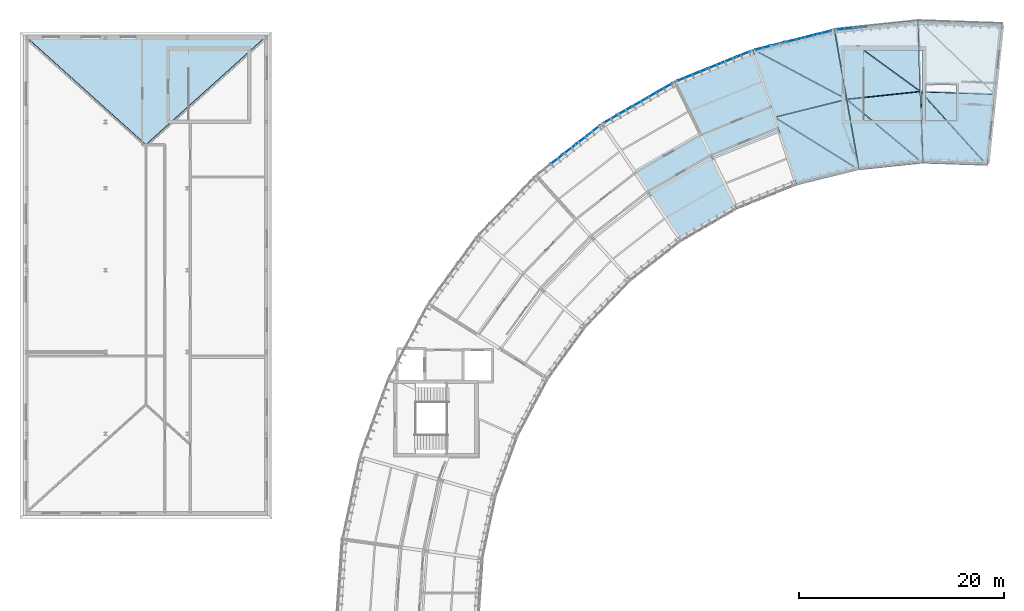
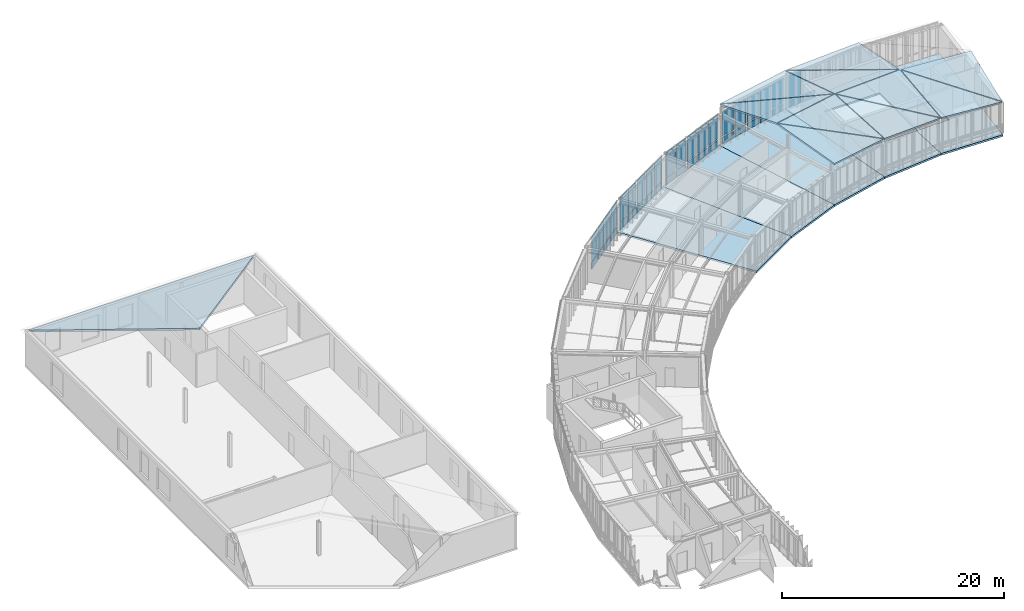
# One storey, part 20 of 42: 41 plates, 16 slabs, 5 elements without a shape of their own.
"""IFC4 building model written with IfcOpenShell, lengths in metres."""

from ifc_helpers import new_model, si_unit, direction, frame, origin, origin_2d, place, context, subcontext, project, spatial, polyline, rectangle, outline, extrude, material, layer, layer_set, type_object, element, aggregate, save


model = new_model("IFC4")

# Units and contexts
model_context = context("Model", 3, precision=1e-05, world=origin(), true_north=direction((0.0, 1.0)))
body_context = subcontext(model_context, "Body", "Model", "MODEL_VIEW")
ifc_project = project(units=[si_unit("LENGTHUNIT", "METRE"), si_unit("AREAUNIT", "SQUARE_METRE"), si_unit("VOLUMEUNIT", "CUBIC_METRE"), si_unit("PLANEANGLEUNIT", "RADIAN"), si_unit("MASSUNIT", "GRAM", prefix="KILO"), si_unit("THERMODYNAMICTEMPERATUREUNIT", "KELVIN"), si_unit("POWERUNIT", "WATT")], contexts=[model_context])

# Site, building, storey
site_placement = place(None, origin())
site = spatial("IfcSite", under=ifc_project, at=site_placement, CompositionType="ELEMENT")
building_placement = place(site_placement, origin())
building = spatial("IfcBuilding", under=site, at=building_placement, Name="Solvatero Civic Police Headquarters", CompositionType="ELEMENT")
storey_placement = place(building_placement, frame((0.0, 0.0, 21.60009765625)))
storey = spatial("IfcBuildingStorey", under=building, at=storey_placement, Name="L05", CompositionType="ELEMENT", Elevation=21.60009765625)

# Curtain wall, plate
ifc_material_1 = material(Name="Anodized Bronze Aluminium", Category="aluminium")
ifc_layer_1 = layer(ifc_material_1, 0.179931640625)
ifc_layer_set_1 = layer_set([ifc_layer_1], Name="Anodized Bronze Aluminium")
curtain_wall_type = type_object("IfcCurtainWallType", Name="CW-ARC-OUT", PredefinedType="USERDEFINED", material=ifc_layer_set_1)
curtain_wall_1_placement = place(storey_placement, origin())
curtain_wall_1 = element("IfcCurtainWall", 1, at=curtain_wall_1_placement, inside=storey, type_object=curtain_wall_type, Name="Curtain Wall CW-R2-L05-ARC-OUT-B02", ObjectType="UNITISED", PredefinedType="USERDEFINED")
ifc_material_2 = material(Name="Triple Low-E Laminated Glass", Category="glass")
ifc_layer_2 = layer(ifc_material_2, 0.0380859375)
ifc_layer_set_2 = layer_set([ifc_layer_2], Name="Triple Low-E Laminated Glass")
plate_type_1 = type_object("IfcPlateType", Name="CWP-GLZ-38", PredefinedType="CURTAIN_PANEL", material=ifc_layer_set_2)
plate_1_placement = place(storey_placement, frame((84.764404296875, 84.08935546875, 0.909912109375), z_axis=(0.0, 0.0, 1.0), x_axis=(-0.994523719583, -0.10451110557, 0.0)))
plate_1 = element("IfcPlate", 2, at=plate_1_placement, type_object=plate_type_1, Name="CW-R2-L05-ARC-OUT-B02 Vision Glazing 5", PredefinedType="CURTAIN_PANEL", context=body_context, shape_type="SweptSolid", body=[
    extrude(rectangle(XDim=1.37646484375, YDim=0.0380859375, at=origin_2d()), origin(), (0.0, 0.0, 1.0), 2.669921875),
])

# Curtain wall, plates
curtain_wall_2_placement = place(storey_placement, origin())
curtain_wall_2 = element("IfcCurtainWall", 3, at=curtain_wall_2_placement, inside=storey, type_object=curtain_wall_type, Name="Curtain Wall CW-R2-L05-ARC-OUT-B03", ObjectType="UNITISED", PredefinedType="USERDEFINED")
plate_2_placement = place(storey_placement, frame((82.809814453125, 83.74462890625, 0.909912109375), z_axis=(0.0, 0.0, 1.0), x_axis=(-0.970295726276, -0.2419218956, 0.0)))
plate_2 = element("IfcPlate", 4, at=plate_2_placement, type_object=plate_type_1, Name="CW-R2-L05-ARC-OUT-B03 Vision Glazing 1", PredefinedType="CURTAIN_PANEL", context=body_context, shape_type="SweptSolid", body=[
    extrude(rectangle(XDim=1.37841796875, YDim=0.0380859375, at=origin_2d()), origin(), (0.0, 0.0, 1.0), 2.669921875),
])
plate_3_placement = place(storey_placement, frame((79.785400390625, 82.990478515625, 0.909912109375), z_axis=(0.0, 0.0, 1.0), x_axis=(-0.970295726276, -0.2419218956, 0.0)))
plate_3 = element("IfcPlate", 5, at=plate_3_placement, type_object=plate_type_1, Name="CW-R2-L05-ARC-OUT-B03 Vision Glazing 3", PredefinedType="CURTAIN_PANEL", context=body_context, shape_type="SweptSolid", body=[
    extrude(rectangle(XDim=1.37841796875, YDim=0.0380859375, at=origin_2d()), origin(), (0.0, 0.0, 1.0), 2.669921875),
])
plate_4_placement = place(storey_placement, frame((76.76123046875, 82.236572265625, 0.909912109375), z_axis=(0.0, 0.0, 1.0), x_axis=(-0.970295726276, -0.2419218956, 0.0)))
plate_4 = element("IfcPlate", 6, at=plate_4_placement, type_object=plate_type_1, Name="CW-R2-L05-ARC-OUT-B03 Vision Glazing 5", PredefinedType="CURTAIN_PANEL", context=body_context, shape_type="SweptSolid", body=[
    extrude(rectangle(XDim=1.37841796875, YDim=0.0380859375, at=origin_2d()), origin(), (0.0, 0.0, 1.0), 2.669921875),
])

curtain_wall_3_placement = place(storey_placement, origin())
curtain_wall_3 = element("IfcCurtainWall", 7, at=curtain_wall_3_placement, inside=storey, type_object=curtain_wall_type, Name="Curtain Wall CW-R2-L05-ARC-OUT-B04", ObjectType="UNITISED", PredefinedType="USERDEFINED")
plate_5_placement = place(storey_placement, frame((74.8916015625, 81.629150390625, 0.909912109375), z_axis=(0.0, 0.0, 1.0), x_axis=(-0.927183854567, -0.374606593416, 0.0)))
plate_5 = element("IfcPlate", 8, at=plate_5_placement, type_object=plate_type_1, Name="CW-R2-L05-ARC-OUT-B04 Vision Glazing 1", PredefinedType="CURTAIN_PANEL", context=body_context, shape_type="SweptSolid", body=[
    extrude(rectangle(XDim=1.37841796875, YDim=0.0380859375, at=origin_2d()), origin(), (0.0, 0.0, 1.0), 2.669921875),
])
plate_6_placement = place(storey_placement, frame((72.001708984375, 80.46142578125, 0.909912109375), z_axis=(0.0, 0.0, 1.0), x_axis=(-0.927183854567, -0.374606593416, 0.0)))
plate_6 = element("IfcPlate", 9, at=plate_6_placement, type_object=plate_type_1, Name="CW-R2-L05-ARC-OUT-B04 Vision Glazing 3", PredefinedType="CURTAIN_PANEL", context=body_context, shape_type="SweptSolid", body=[
    extrude(rectangle(XDim=1.37841796875, YDim=0.0380859375, at=origin_2d()), origin(), (0.0, 0.0, 1.0), 2.669921875),
])
plate_7_placement = place(storey_placement, frame((69.111572265625, 79.293701171875, 0.909912109375), z_axis=(0.0, 0.0, 1.0), x_axis=(-0.927183854567, -0.374606593416, 0.0)))
plate_7 = element("IfcPlate", 10, at=plate_7_placement, type_object=plate_type_1, Name="CW-R2-L05-ARC-OUT-B04 Vision Glazing 5", PredefinedType="CURTAIN_PANEL", context=body_context, shape_type="SweptSolid", body=[
    extrude(rectangle(XDim=1.37841796875, YDim=0.0380859375, at=origin_2d()), origin(), (0.0, 0.0, 1.0), 2.669921875),
])

curtain_wall_4_placement = place(storey_placement, origin())
curtain_wall_4 = element("IfcCurtainWall", 11, at=curtain_wall_4_placement, inside=storey, type_object=curtain_wall_type, Name="Curtain Wall CW-R2-L05-ARC-OUT-B05", ObjectType="UNITISED", PredefinedType="USERDEFINED")
plate_8_placement = place(storey_placement, frame((67.326904296875, 78.42333984375, 0.909912109375), z_axis=(0.0, 0.0, 1.0), x_axis=(-0.866034130299, -0.499984884929, 0.0)))
plate_8 = element("IfcPlate", 12, at=plate_8_placement, type_object=plate_type_1, Name="CW-R2-L05-ARC-OUT-B05 Vision Glazing 1", PredefinedType="CURTAIN_PANEL", context=body_context, shape_type="SweptSolid", body=[
    extrude(rectangle(XDim=1.37841796875, YDim=0.0380859375, at=origin_2d()), origin(), (0.0, 0.0, 1.0), 2.669921875),
])
plate_9_placement = place(storey_placement, frame((64.62744140625, 76.86474609375, 0.909912109375), z_axis=(0.0, 0.0, 1.0), x_axis=(-0.866034130299, -0.499984884929, 0.0)))
plate_9 = element("IfcPlate", 13, at=plate_9_placement, type_object=plate_type_1, Name="CW-R2-L05-ARC-OUT-B05 Vision Glazing 3", PredefinedType="CURTAIN_PANEL", context=body_context, shape_type="SweptSolid", body=[
    extrude(rectangle(XDim=1.37841796875, YDim=0.0380859375, at=origin_2d()), origin(), (0.0, 0.0, 1.0), 2.669921875),
])
plate_10_placement = place(storey_placement, frame((61.927978515625, 75.306396484375, 0.909912109375), z_axis=(0.0, 0.0, 1.0), x_axis=(-0.866034130299, -0.499984884929, 0.0)))
plate_10 = element("IfcPlate", 14, at=plate_10_placement, type_object=plate_type_1, Name="CW-R2-L05-ARC-OUT-B05 Vision Glazing 5", PredefinedType="CURTAIN_PANEL", context=body_context, shape_type="SweptSolid", body=[
    extrude(rectangle(XDim=1.37841796875, YDim=0.0380859375, at=origin_2d()), origin(), (0.0, 0.0, 1.0), 2.669921875),
])

curtain_wall_5_placement = place(storey_placement, origin())
curtain_wall_5 = element("IfcCurtainWall", 15, at=curtain_wall_5_placement, inside=storey, type_object=curtain_wall_type, Name="Curtain Wall CW-R2-L05-ARC-OUT-B06", ObjectType="UNITISED", PredefinedType="USERDEFINED")
plate_11_placement = place(storey_placement, frame((60.29833984375, 74.20703125, 0.909912109375), z_axis=(0.0, 0.0, 1.0), x_axis=(-0.788010753607, -0.615661475326, 0.0)))
plate_11 = element("IfcPlate", 16, at=plate_11_placement, type_object=plate_type_1, Name="CW-R2-L05-ARC-OUT-B06 Vision Glazing 1", PredefinedType="CURTAIN_PANEL", context=body_context, shape_type="SweptSolid", body=[
    extrude(rectangle(XDim=1.37841796875, YDim=0.0380859375, at=origin_2d()), origin(), (0.0, 0.0, 1.0), 2.669921875),
])
plate_12_placement = place(storey_placement, frame((57.842041015625, 72.2880859375, 0.909912109375), z_axis=(0.0, 0.0, 1.0), x_axis=(-0.788010753607, -0.615661475326, 0.0)))
plate_12 = element("IfcPlate", 17, at=plate_12_placement, type_object=plate_type_1, Name="CW-R2-L05-ARC-OUT-B06 Vision Glazing 3", PredefinedType="CURTAIN_PANEL", context=body_context, shape_type="SweptSolid", body=[
    extrude(rectangle(XDim=1.37841796875, YDim=0.0380859375, at=origin_2d()), origin(), (0.0, 0.0, 1.0), 2.669921875),
])

# Plate
ifc_material_3 = material(Name="Acoustic Ballistic Laminated Glass", Category="glass")
ifc_layer_3 = layer(ifc_material_3, 0.0439453125)
ifc_layer_set_3 = layer_set([ifc_layer_3], Name="Acoustic Ballistic Laminated Glass")
plate_type_2 = type_object("IfcPlateType", Name="CWP-GLZ-44", PredefinedType="CURTAIN_PANEL", material=ifc_layer_set_3)
plate_13_placement = place(storey_placement, frame((81.297607421875, 83.36767578125, 0.909912109375), z_axis=(0.0, 0.0, 1.0), x_axis=(-0.970295726276, -0.2419218956, 0.0)))
plate_13 = element("IfcPlate", 18, at=plate_13_placement, type_object=plate_type_2, Name="CW-R2-L05-ARC-OUT-B03 Vision Glazing 2", PredefinedType="CURTAIN_PANEL", context=body_context, shape_type="SweptSolid", body=[
    extrude(rectangle(XDim=1.37841796875, YDim=0.0439453125, at=origin_2d()), origin(), (0.0, 0.0, 1.0), 2.669921875),
])

plate_14_placement = place(storey_placement, frame((78.273193359375, 82.613525390625, 0.909912109375), z_axis=(0.0, 0.0, 1.0), x_axis=(-0.970295726276, -0.2419218956, 0.0)))
plate_14 = element("IfcPlate", 19, at=plate_14_placement, type_object=plate_type_2, Name="CW-R2-L05-ARC-OUT-B03 Vision Glazing 4", PredefinedType="CURTAIN_PANEL", context=body_context, shape_type="SweptSolid", body=[
    extrude(rectangle(XDim=1.37841796875, YDim=0.0439453125, at=origin_2d()), origin(), (0.0, 0.0, 1.0), 2.669921875),
])

plate_15_placement = place(storey_placement, frame((73.446533203125, 81.04541015625, 0.909912109375), z_axis=(0.0, 0.0, 1.0), x_axis=(-0.927183854567, -0.374606593416, 0.0)))
plate_15 = element("IfcPlate", 20, at=plate_15_placement, type_object=plate_type_2, Name="CW-R2-L05-ARC-OUT-B04 Vision Glazing 2", PredefinedType="CURTAIN_PANEL", context=body_context, shape_type="SweptSolid", body=[
    extrude(rectangle(XDim=1.37841796875, YDim=0.0439453125, at=origin_2d()), origin(), (0.0, 0.0, 1.0), 2.669921875),
])

plate_16_placement = place(storey_placement, frame((70.556396484375, 79.877685546875, 0.909912109375), z_axis=(0.0, 0.0, 1.0), x_axis=(-0.927183854567, -0.374606593416, 0.0)))
plate_16 = element("IfcPlate", 21, at=plate_16_placement, type_object=plate_type_2, Name="CW-R2-L05-ARC-OUT-B04 Vision Glazing 4", PredefinedType="CURTAIN_PANEL", context=body_context, shape_type="SweptSolid", body=[
    extrude(rectangle(XDim=1.37841796875, YDim=0.0439453125, at=origin_2d()), origin(), (0.0, 0.0, 1.0), 2.669921875),
])

plate_17_placement = place(storey_placement, frame((65.97705078125, 77.64404296875, 0.909912109375), z_axis=(0.0, 0.0, 1.0), x_axis=(-0.866034130299, -0.499984884929, 0.0)))
plate_17 = element("IfcPlate", 22, at=plate_17_placement, type_object=plate_type_2, Name="CW-R2-L05-ARC-OUT-B05 Vision Glazing 2", PredefinedType="CURTAIN_PANEL", context=body_context, shape_type="SweptSolid", body=[
    extrude(rectangle(XDim=1.37841796875, YDim=0.0439453125, at=origin_2d()), origin(), (0.0, 0.0, 1.0), 2.669921875),
])

plate_18_placement = place(storey_placement, frame((63.27783203125, 76.085693359375, 0.909912109375), z_axis=(0.0, 0.0, 1.0), x_axis=(-0.866034130299, -0.499984884929, 0.0)))
plate_18 = element("IfcPlate", 23, at=plate_18_placement, type_object=plate_type_2, Name="CW-R2-L05-ARC-OUT-B05 Vision Glazing 4", PredefinedType="CURTAIN_PANEL", context=body_context, shape_type="SweptSolid", body=[
    extrude(rectangle(XDim=1.37841796875, YDim=0.0439453125, at=origin_2d()), origin(), (0.0, 0.0, 1.0), 2.669921875),
])

plate_19_placement = place(storey_placement, frame((59.0703125, 73.24755859375, 0.909912109375), z_axis=(0.0, 0.0, 1.0), x_axis=(-0.788010753607, -0.615661475326, 0.0)))
plate_19 = element("IfcPlate", 24, at=plate_19_placement, type_object=plate_type_2, Name="CW-R2-L05-ARC-OUT-B06 Vision Glazing 2", PredefinedType="CURTAIN_PANEL", context=body_context, shape_type="SweptSolid", body=[
    extrude(rectangle(XDim=1.37841796875, YDim=0.0439453125, at=origin_2d()), origin(), (0.0, 0.0, 1.0), 2.669921875),
])

plate_20_placement = place(storey_placement, frame((56.614013671875, 71.32861328125, 0.909912109375), z_axis=(0.0, 0.0, 1.0), x_axis=(-0.788010753607, -0.615661475326, 0.0)))
plate_20 = element("IfcPlate", 25, at=plate_20_placement, type_object=plate_type_2, Name="CW-R2-L05-ARC-OUT-B06 Vision Glazing 4", PredefinedType="CURTAIN_PANEL", context=body_context, shape_type="SweptSolid", body=[
    extrude(rectangle(XDim=1.37841796875, YDim=0.0439453125, at=origin_2d()), origin(), (0.0, 0.0, 1.0), 2.669921875),
])

ifc_material_4 = material(Name="Insulated Bronze Aluminium Spandrel", Category="aluminium")
ifc_layer_4 = layer(ifc_material_4, 0.06005859375)
ifc_layer_set_4 = layer_set([ifc_layer_4], Name="Insulated Bronze Aluminium Spandrel")
plate_type_3 = type_object("IfcPlateType", Name="CWP-SPN-60", PredefinedType="CURTAIN_PANEL", material=ifc_layer_set_4)
plate_21_placement = place(storey_placement, frame((84.764404296875, 84.08935546875, 0.059814453125), z_axis=(0.0, 0.0, 1.0), x_axis=(-0.994523719583, -0.10451110557, 0.0)))
plate_21 = element("IfcPlate", 26, at=plate_21_placement, type_object=plate_type_3, Name="CW-R2-L05-ARC-OUT-B02 Spandrel Panel 5", PredefinedType="CURTAIN_PANEL", context=body_context, shape_type="SweptSolid", body=[
    extrude(rectangle(XDim=1.37646484375, YDim=0.06005859375, at=origin_2d()), origin(), (0.0, 0.0, 1.0), 0.72998046875),
])

plate_22_placement = place(storey_placement, frame((82.809814453125, 83.74462890625, 0.059814453125), z_axis=(0.0, 0.0, 1.0), x_axis=(-0.970295726276, -0.2419218956, 0.0)))
plate_22 = element("IfcPlate", 27, at=plate_22_placement, type_object=plate_type_3, Name="CW-R2-L05-ARC-OUT-B03 Spandrel Panel 1", PredefinedType="CURTAIN_PANEL", context=body_context, shape_type="SweptSolid", body=[
    extrude(rectangle(XDim=1.37841796875, YDim=0.06005859375, at=origin_2d()), origin(), (0.0, 0.0, 1.0), 0.72998046875),
])

plate_23_placement = place(storey_placement, frame((79.785400390625, 82.990478515625, 0.059814453125), z_axis=(0.0, 0.0, 1.0), x_axis=(-0.970295726276, -0.2419218956, 0.0)))
plate_23 = element("IfcPlate", 28, at=plate_23_placement, type_object=plate_type_3, Name="CW-R2-L05-ARC-OUT-B03 Spandrel Panel 3", PredefinedType="CURTAIN_PANEL", context=body_context, shape_type="SweptSolid", body=[
    extrude(rectangle(XDim=1.37841796875, YDim=0.06005859375, at=origin_2d()), origin(), (0.0, 0.0, 1.0), 0.72998046875),
])

plate_24_placement = place(storey_placement, frame((76.76123046875, 82.236572265625, 0.059814453125), z_axis=(0.0, 0.0, 1.0), x_axis=(-0.970295726276, -0.2419218956, 0.0)))
plate_24 = element("IfcPlate", 29, at=plate_24_placement, type_object=plate_type_3, Name="CW-R2-L05-ARC-OUT-B03 Spandrel Panel 5", PredefinedType="CURTAIN_PANEL", context=body_context, shape_type="SweptSolid", body=[
    extrude(rectangle(XDim=1.37841796875, YDim=0.06005859375, at=origin_2d()), origin(), (0.0, 0.0, 1.0), 0.72998046875),
])

plate_25_placement = place(storey_placement, frame((74.8916015625, 81.629150390625, 0.059814453125), z_axis=(0.0, 0.0, 1.0), x_axis=(-0.927183854567, -0.374606593416, 0.0)))
plate_25 = element("IfcPlate", 30, at=plate_25_placement, type_object=plate_type_3, Name="CW-R2-L05-ARC-OUT-B04 Spandrel Panel 1", PredefinedType="CURTAIN_PANEL", context=body_context, shape_type="SweptSolid", body=[
    extrude(rectangle(XDim=1.37841796875, YDim=0.06005859375, at=origin_2d()), origin(), (0.0, 0.0, 1.0), 0.72998046875),
])

plate_26_placement = place(storey_placement, frame((72.001708984375, 80.46142578125, 0.059814453125), z_axis=(0.0, 0.0, 1.0), x_axis=(-0.927183854567, -0.374606593416, 0.0)))
plate_26 = element("IfcPlate", 31, at=plate_26_placement, type_object=plate_type_3, Name="CW-R2-L05-ARC-OUT-B04 Spandrel Panel 3", PredefinedType="CURTAIN_PANEL", context=body_context, shape_type="SweptSolid", body=[
    extrude(rectangle(XDim=1.37841796875, YDim=0.06005859375, at=origin_2d()), origin(), (0.0, 0.0, 1.0), 0.72998046875),
])

plate_27_placement = place(storey_placement, frame((69.111572265625, 79.293701171875, 0.059814453125), z_axis=(0.0, 0.0, 1.0), x_axis=(-0.927183854567, -0.374606593416, 0.0)))
plate_27 = element("IfcPlate", 32, at=plate_27_placement, type_object=plate_type_3, Name="CW-R2-L05-ARC-OUT-B04 Spandrel Panel 5", PredefinedType="CURTAIN_PANEL", context=body_context, shape_type="SweptSolid", body=[
    extrude(rectangle(XDim=1.37841796875, YDim=0.06005859375, at=origin_2d()), origin(), (0.0, 0.0, 1.0), 0.72998046875),
])

plate_28_placement = place(storey_placement, frame((67.326904296875, 78.42333984375, 0.059814453125), z_axis=(0.0, 0.0, 1.0), x_axis=(-0.866034130299, -0.499984884929, 0.0)))
plate_28 = element("IfcPlate", 33, at=plate_28_placement, type_object=plate_type_3, Name="CW-R2-L05-ARC-OUT-B05 Spandrel Panel 1", PredefinedType="CURTAIN_PANEL", context=body_context, shape_type="SweptSolid", body=[
    extrude(rectangle(XDim=1.37841796875, YDim=0.06005859375, at=origin_2d()), origin(), (0.0, 0.0, 1.0), 0.72998046875),
])

plate_29_placement = place(storey_placement, frame((64.62744140625, 76.86474609375, 0.059814453125), z_axis=(0.0, 0.0, 1.0), x_axis=(-0.866034130299, -0.499984884929, 0.0)))
plate_29 = element("IfcPlate", 34, at=plate_29_placement, type_object=plate_type_3, Name="CW-R2-L05-ARC-OUT-B05 Spandrel Panel 3", PredefinedType="CURTAIN_PANEL", context=body_context, shape_type="SweptSolid", body=[
    extrude(rectangle(XDim=1.37841796875, YDim=0.06005859375, at=origin_2d()), origin(), (0.0, 0.0, 1.0), 0.72998046875),
])

plate_30_placement = place(storey_placement, frame((61.927978515625, 75.306396484375, 0.059814453125), z_axis=(0.0, 0.0, 1.0), x_axis=(-0.866034130299, -0.499984884929, 0.0)))
plate_30 = element("IfcPlate", 35, at=plate_30_placement, type_object=plate_type_3, Name="CW-R2-L05-ARC-OUT-B05 Spandrel Panel 5", PredefinedType="CURTAIN_PANEL", context=body_context, shape_type="SweptSolid", body=[
    extrude(rectangle(XDim=1.37841796875, YDim=0.06005859375, at=origin_2d()), origin(), (0.0, 0.0, 1.0), 0.72998046875),
])

plate_31_placement = place(storey_placement, frame((60.29833984375, 74.20703125, 0.059814453125), z_axis=(0.0, 0.0, 1.0), x_axis=(-0.788010753607, -0.615661475326, 0.0)))
plate_31 = element("IfcPlate", 36, at=plate_31_placement, type_object=plate_type_3, Name="CW-R2-L05-ARC-OUT-B06 Spandrel Panel 1", PredefinedType="CURTAIN_PANEL", context=body_context, shape_type="SweptSolid", body=[
    extrude(rectangle(XDim=1.37841796875, YDim=0.06005859375, at=origin_2d()), origin(), (0.0, 0.0, 1.0), 0.72998046875),
])

plate_32_placement = place(storey_placement, frame((57.842041015625, 72.2880859375, 0.059814453125), z_axis=(0.0, 0.0, 1.0), x_axis=(-0.788010753607, -0.615661475326, 0.0)))
plate_32 = element("IfcPlate", 37, at=plate_32_placement, type_object=plate_type_3, Name="CW-R2-L05-ARC-OUT-B06 Spandrel Panel 3", PredefinedType="CURTAIN_PANEL", context=body_context, shape_type="SweptSolid", body=[
    extrude(rectangle(XDim=1.37841796875, YDim=0.06005859375, at=origin_2d()), origin(), (0.0, 0.0, 1.0), 0.72998046875),
])

ifc_material_5 = material(Name="Limestone Veneer Spandrel Panel", Category="masonry")
ifc_layer_5 = layer(ifc_material_5, 0.074951171875)
ifc_layer_set_5 = layer_set([ifc_layer_5], Name="Limestone Veneer Spandrel Panel")
plate_type_4 = type_object("IfcPlateType", Name="CWP-SPN-75", PredefinedType="CURTAIN_PANEL", material=ifc_layer_set_5)
plate_33_placement = place(storey_placement, frame((86.312255859375, 84.252197265625, 0.059814453125), z_axis=(0.0, 0.0, 1.0), x_axis=(-0.994523719583, -0.10451110557, 0.0)))
plate_33 = element("IfcPlate", 38, at=plate_33_placement, type_object=plate_type_4, Name="CW-R2-L05-ARC-OUT-B02 Spandrel Panel 4", PredefinedType="CURTAIN_PANEL", context=body_context, shape_type="SweptSolid", body=[
    extrude(rectangle(XDim=1.37646484375, YDim=0.074951171875, at=origin_2d()), origin(), (0.0, 0.0, 1.0), 0.72998046875),
])

aggregate(curtain_wall_1, [plate_33, plate_21, plate_1])

plate_34_placement = place(storey_placement, frame((81.297607421875, 83.36767578125, 0.059814453125), z_axis=(0.0, 0.0, 1.0), x_axis=(-0.970295726276, -0.2419218956, 0.0)))
plate_34 = element("IfcPlate", 39, at=plate_34_placement, type_object=plate_type_4, Name="CW-R2-L05-ARC-OUT-B03 Spandrel Panel 2", PredefinedType="CURTAIN_PANEL", context=body_context, shape_type="SweptSolid", body=[
    extrude(rectangle(XDim=1.37841796875, YDim=0.074951171875, at=origin_2d()), origin(), (0.0, 0.0, 1.0), 0.72998046875),
])

plate_35_placement = place(storey_placement, frame((78.273193359375, 82.613525390625, 0.059814453125), z_axis=(0.0, 0.0, 1.0), x_axis=(-0.970295726276, -0.2419218956, 0.0)))
plate_35 = element("IfcPlate", 40, at=plate_35_placement, type_object=plate_type_4, Name="CW-R2-L05-ARC-OUT-B03 Spandrel Panel 4", PredefinedType="CURTAIN_PANEL", context=body_context, shape_type="SweptSolid", body=[
    extrude(rectangle(XDim=1.37841796875, YDim=0.074951171875, at=origin_2d()), origin(), (0.0, 0.0, 1.0), 0.72998046875),
])

aggregate(curtain_wall_2, [plate_22, plate_2, plate_34, plate_13, plate_23, plate_3, plate_35, plate_14, plate_24, plate_4])

plate_36_placement = place(storey_placement, frame((73.446533203125, 81.04541015625, 0.059814453125), z_axis=(0.0, 0.0, 1.0), x_axis=(-0.927183854567, -0.374606593416, 0.0)))
plate_36 = element("IfcPlate", 41, at=plate_36_placement, type_object=plate_type_4, Name="CW-R2-L05-ARC-OUT-B04 Spandrel Panel 2", PredefinedType="CURTAIN_PANEL", context=body_context, shape_type="SweptSolid", body=[
    extrude(rectangle(XDim=1.37841796875, YDim=0.074951171875, at=origin_2d()), origin(), (0.0, 0.0, 1.0), 0.72998046875),
])

plate_37_placement = place(storey_placement, frame((70.556396484375, 79.877685546875, 0.059814453125), z_axis=(0.0, 0.0, 1.0), x_axis=(-0.927183854567, -0.374606593416, 0.0)))
plate_37 = element("IfcPlate", 42, at=plate_37_placement, type_object=plate_type_4, Name="CW-R2-L05-ARC-OUT-B04 Spandrel Panel 4", PredefinedType="CURTAIN_PANEL", context=body_context, shape_type="SweptSolid", body=[
    extrude(rectangle(XDim=1.37841796875, YDim=0.074951171875, at=origin_2d()), origin(), (0.0, 0.0, 1.0), 0.72998046875),
])

aggregate(curtain_wall_3, [plate_25, plate_5, plate_36, plate_15, plate_26, plate_6, plate_37, plate_16, plate_27, plate_7])

plate_38_placement = place(storey_placement, frame((65.97705078125, 77.64404296875, 0.059814453125), z_axis=(0.0, 0.0, 1.0), x_axis=(-0.866034130299, -0.499984884929, 0.0)))
plate_38 = element("IfcPlate", 43, at=plate_38_placement, type_object=plate_type_4, Name="CW-R2-L05-ARC-OUT-B05 Spandrel Panel 2", PredefinedType="CURTAIN_PANEL", context=body_context, shape_type="SweptSolid", body=[
    extrude(rectangle(XDim=1.37841796875, YDim=0.074951171875, at=origin_2d()), origin(), (0.0, 0.0, 1.0), 0.72998046875),
])

plate_39_placement = place(storey_placement, frame((63.27783203125, 76.085693359375, 0.059814453125), z_axis=(0.0, 0.0, 1.0), x_axis=(-0.866034130299, -0.499984884929, 0.0)))
plate_39 = element("IfcPlate", 44, at=plate_39_placement, type_object=plate_type_4, Name="CW-R2-L05-ARC-OUT-B05 Spandrel Panel 4", PredefinedType="CURTAIN_PANEL", context=body_context, shape_type="SweptSolid", body=[
    extrude(rectangle(XDim=1.37841796875, YDim=0.074951171875, at=origin_2d()), origin(), (0.0, 0.0, 1.0), 0.72998046875),
])

aggregate(curtain_wall_4, [plate_28, plate_8, plate_38, plate_17, plate_29, plate_9, plate_39, plate_18, plate_30, plate_10])

plate_40_placement = place(storey_placement, frame((59.0703125, 73.24755859375, 0.059814453125), z_axis=(0.0, 0.0, 1.0), x_axis=(-0.788010753607, -0.615661475326, 0.0)))
plate_40 = element("IfcPlate", 45, at=plate_40_placement, type_object=plate_type_4, Name="CW-R2-L05-ARC-OUT-B06 Spandrel Panel 2", PredefinedType="CURTAIN_PANEL", context=body_context, shape_type="SweptSolid", body=[
    extrude(rectangle(XDim=1.37841796875, YDim=0.074951171875, at=origin_2d()), origin(), (0.0, 0.0, 1.0), 0.72998046875),
])

plate_41_placement = place(storey_placement, frame((56.614013671875, 71.32861328125, 0.059814453125), z_axis=(0.0, 0.0, 1.0), x_axis=(-0.788010753607, -0.615661475326, 0.0)))
plate_41 = element("IfcPlate", 46, at=plate_41_placement, type_object=plate_type_4, Name="CW-R2-L05-ARC-OUT-B06 Spandrel Panel 4", PredefinedType="CURTAIN_PANEL", context=body_context, shape_type="SweptSolid", body=[
    extrude(rectangle(XDim=1.37841796875, YDim=0.074951171875, at=origin_2d()), origin(), (0.0, 0.0, 1.0), 0.72998046875),
])

aggregate(curtain_wall_5, [plate_31, plate_11, plate_40, plate_19, plate_32, plate_12, plate_41, plate_20])

# Slabs
ifc_material_6 = material(Name="Concrete C35/45", Category="concrete")
ifc_layer_6 = layer(ifc_material_6, 0.199951171875)
ifc_layer_set_6 = layer_set([ifc_layer_6], Name="Concrete C35/45")
slab_type_1 = type_object("IfcSlabType", Name="SLB-COMP-200", PredefinedType="FLOOR", material=ifc_layer_set_6)
slab_1_placement = place(storey_placement, frame((0.0, 0.0, -0.2001953125)))
element("IfcSlab", 47, at=slab_1_placement, inside=storey, type_object=slab_type_1, Name="L05 Operations Arc Floor Slab Bay 1", PredefinedType="FLOOR", context=body_context, shape_type="SweptSolid", body=[
    extrude(outline(polyline([(98.703857421875, 70.75341796875), (92.429443359375, 70.97265625), (92.281982421875, 75.199951171875), (92.39990234375, 75.199951171875), (92.39990234375, 82.0), (92.04443359375, 82.0), (91.94091796875, 84.964111328125), (100.167236328125, 84.6767578125), (98.703857421875, 70.75341796875)]), holes=[polyline([(92.699951171875, 75.199951171875), (95.699951171875, 75.199951171875), (95.699951171875, 78.60009765625), (92.699951171875, 78.60009765625), (92.699951171875, 75.199951171875)])]), origin(), (0.0, 0.0, 1.0), 0.2001953125),
])
slab_2_placement = place(storey_placement, frame((0.0, 0.0, -0.2001953125)))
element("IfcSlab", 48, at=slab_2_placement, inside=storey, type_object=slab_type_1, Name="L05 Operations Arc Floor Slab Bay 2", PredefinedType="FLOOR", context=body_context, shape_type="SweptSolid", body=[
    extrude(outline(polyline([(83.7548828125, 84.103759765625), (91.93896484375, 84.9638671875), (92.04248046875, 82.0), (86.659912109375, 82.0), (86.659912109375, 75.199951171875), (92.27978515625, 75.199951171875), (92.427490234375, 70.972412109375), (86.185791015625, 70.31640625), (83.7548828125, 84.103759765625)])), origin(), (0.0, 0.0, 1.0), 0.2001953125),
])
slab_3_placement = place(storey_placement, frame((0.0, 0.0, -0.2001953125)))
element("IfcSlab", 49, at=slab_3_placement, inside=storey, type_object=slab_type_1, Name="L05 Operations Arc Floor Slab Bay 3", PredefinedType="FLOOR", context=body_context, shape_type="SweptSolid", body=[
    extrude(outline(polyline([(83.7529296875, 84.103271484375), (86.183837890625, 70.31591796875), (80.09423828125, 68.797607421875), (75.76806640625, 82.1123046875), (83.7529296875, 84.103271484375)])), origin(), (0.0, 0.0, 1.0), 0.2001953125),
])
slab_4_placement = place(storey_placement, frame((0.0, 0.0, -0.2001953125)))
element("IfcSlab", 50, at=slab_4_placement, inside=storey, type_object=slab_type_1, Name="L05 Operations Arc Floor Slab Bay 4", PredefinedType="FLOOR", context=body_context, shape_type="SweptSolid", body=[
    extrude(outline(polyline([(75.76611328125, 82.111572265625), (80.09228515625, 68.796630859375), (74.273193359375, 66.44580078125), (68.135986328125, 79.02880859375), (75.76611328125, 82.111572265625)])), origin(), (0.0, 0.0, 1.0), 0.2001953125),
])
slab_5_placement = place(storey_placement, frame((0.0, 0.0, -0.2001953125)))
element("IfcSlab", 51, at=slab_5_placement, inside=storey, type_object=slab_type_1, Name="L05 Operations Arc Floor Slab Bay 5", PredefinedType="FLOOR", context=body_context, shape_type="SweptSolid", body=[
    extrude(outline(polyline([(68.134521484375, 79.02783203125), (74.271484375, 66.444580078125), (68.836181640625, 63.306640625), (61.007568359375, 74.9130859375), (68.134521484375, 79.02783203125)])), origin(), (0.0, 0.0, 1.0), 0.2001953125),
])
ifc_layer_7 = layer(ifc_material_6, 0.18994140625)
ifc_layer_set_7 = layer_set([ifc_layer_7], Name="Concrete C35/45")
slab_type_2 = type_object("IfcSlabType", Name="SLB-RF-ARC-190", PredefinedType="ROOF", material=ifc_layer_set_7)
slab_6_placement = place(storey_placement, frame((98.67724609375, 70.8349609375, 3.614990234375), z_axis=(0.034803792117, -0.17054890393, 0.984734363888), x_axis=(-0.662776337823, 0.733543820069, 0.150469232935)))
element("IfcSlab", 52, at=slab_6_placement, inside=storey, type_object=slab_type_2, Name="Operations Arc Rising Roof Slab B1 IN1", PredefinedType="ROOF", context=body_context, shape_type="SweptSolid", body=[
    extrude(outline(polyline([(0.0, 0.0), (9.673515162266346, 5.828670879282072e-16), (4.72010548195157, -5.144463581242205), (0.0, 0.0)])), origin(), (0.0, 0.0, -1.0), 0.18994140625),
])
slab_7_placement = place(storey_placement, frame((98.623046875, 70.791015625, 3.609619140625), z_axis=(0.041351294213, -0.16478390443, 0.985462498174), x_axis=(-0.998252500496, 0.034857727029, 0.04771670692)))
element("IfcSlab", 53, at=slab_7_placement, inside=storey, type_object=slab_type_2, Name="Operations Arc Rising Roof Slab B1 IN2", PredefinedType="ROOF", context=body_context, shape_type="SweptSolid", body=[
    extrude(outline(polyline([(0.0, 0.0), (6.170450828510572, 0.0), (6.7046905364318, -6.9483202251103435), (0.0, 0.0)])), origin(), (0.0, 0.0, -1.0), 0.18994140625),
])
slab_8_placement = place(storey_placement, frame((92.391845703125, 71.049560546875, 3.914794921875), z_axis=(0.058205016707, -0.164075106656, 0.984729168557), x_axis=(-0.758399319448, 0.634178306126, 0.150493681926)))
element("IfcSlab", 54, at=slab_8_placement, inside=storey, type_object=slab_type_2, Name="Operations Arc Rising Roof Slab B2 IN1", PredefinedType="ROOF", context=body_context, shape_type="SweptSolid", body=[
    extrude(outline(polyline([(0.0, 0.0), (9.673565881610763, 9.43689570931383e-16), (4.720400169864832, -5.1444627049581735), (0.0, 0.0)])), origin(), (0.0, 0.0, -1.0), 0.18994140625),
])
slab_9_placement = place(storey_placement, frame((92.34423828125, 70.998291015625, 3.909423828125), z_axis=(0.063921000356, -0.157412622415, 0.985462009424), x_axis=(-0.993386553883, -0.104414988477, 0.047756305832)))
element("IfcSlab", 55, at=slab_9_placement, inside=storey, type_object=slab_type_2, Name="Operations Arc Rising Roof Slab B2 IN2", PredefinedType="ROOF", context=body_context, shape_type="SweptSolid", body=[
    extrude(outline(polyline([(0.0, 0.0), (6.170446587905019, 0.0), (6.704332296992839, -6.94866233878529), (0.0, 0.0)])), origin(), (0.0, 0.0, -1.0), 0.18994140625),
])
slab_10_placement = place(storey_placement, frame((92.147705078125, 78.038330078125, 5.068603515625), z_axis=(0.018593757313, 0.166911309559, 0.985796574822), x_axis=(-0.805673202875, 0.586362112765, -0.084084260613)))
element("IfcSlab", 56, at=slab_10_placement, inside=storey, type_object=slab_type_2, Name="Operations Arc Rising Roof Slab B2 OUT1", PredefinedType="ROOF", context=body_context, shape_type="SweptSolid", body=[
    extrude(outline(polyline([(0.0, 0.0), (10.301701307526008, 2.220446049250313e-16), (4.329961567389939, -5.485946586671302), (0.0, 0.0)])), origin(), (0.0, 0.0, -1.0), 0.18994140625),
])
slab_11_placement = place(storey_placement, frame((92.09228515625, 77.9931640625, 5.07763671875), z_axis=(0.022810359331, 0.172560564953, 0.984734755622), x_axis=(-0.99367523555, -0.104415588013, 0.041314782286)))
element("IfcSlab", 57, at=slab_11_placement, inside=storey, type_object=slab_type_2, Name="Operations Arc Rising Roof Slab B2 OUT2", PredefinedType="ROOF", context=body_context, shape_type="SweptSolid", body=[
    extrude(outline(polyline([(0.0, 0.0), (7.138410483609217, 0.0), (7.570121363609685, -6.9653216613926965), (0.0, 0.0)])), origin(), (0.0, 0.0, -1.0), 0.18994140625),
])
slab_12_placement = place(storey_placement, frame((86.1376953125, 70.38720703125, 4.21484375), z_axis=(0.080471039558, -0.154379093678, 0.984729154249), x_axis=(-0.839266290933, 0.522478220813, 0.150494523752)))
element("IfcSlab", 58, at=slab_12_placement, inside=storey, type_object=slab_type_2, Name="Operations Arc Rising Roof Slab B3 IN1", PredefinedType="ROOF", context=body_context, shape_type="SweptSolid", body=[
    extrude(outline(polyline([(0.0, 0.0), (9.673511770287094, 2.7755575615628914e-16), (4.720401336605174, -5.1444909183728695), (0.0, 0.0)])), origin(), (0.0, 0.0, -1.0), 0.18994140625),
])
slab_13_placement = place(storey_placement, frame((86.097900390625, 70.330078125, 4.20947265625), z_axis=(0.085206835481, -0.146983265659, 0.985462183345), x_axis=(-0.969184413471, -0.241663063254, 0.047754963547)))
element("IfcSlab", 59, at=slab_13_placement, inside=storey, type_object=slab_type_2, Name="Operations Arc Rising Roof Slab B3 IN2", PredefinedType="ROOF", context=body_context, shape_type="SweptSolid", body=[
    extrude(outline(polyline([(0.0, 0.0), (6.1706200253282955, -2.983724378680108e-16), (6.704555929629767, -6.948680076698413), (0.0, 0.0)])), origin(), (0.0, 0.0, -1.0), 0.18994140625),
])
slab_14_placement = place(storey_placement, frame((84.923583984375, 77.274169921875, 5.36865234375), z_axis=(-0.004819845821, 0.167876250353, 0.985796294197), x_axis=(-0.879449197295, 0.468507132538, -0.084084339433)))
element("IfcSlab", 60, at=slab_14_placement, inside=storey, type_object=slab_type_2, Name="Operations Arc Rising Roof Slab B3 OUT1", PredefinedType="ROOF", context=body_context, shape_type="SweptSolid", body=[
    extrude(outline(polyline([(0.0, 0.0), (10.30169165084933, -5.273559366969494e-16), (4.329873786516829, -5.485924924601203), (0.0, 0.0)])), origin(), (0.0, 0.0, -1.0), 0.18994140625),
])
slab_15_placement = place(storey_placement, frame((84.874755859375, 77.2216796875, 5.377685546875), z_axis=(-0.001428040832, 0.174053944606, 0.984735083698), x_axis=(-0.969470876483, -0.241700793202, 0.04131520563)))
element("IfcSlab", 61, at=slab_15_placement, inside=storey, type_object=slab_type_2, Name="Operations Arc Rising Roof Slab B3 OUT2", PredefinedType="ROOF", context=body_context, shape_type="SweptSolid", body=[
    extrude(outline(polyline([(0.0, 0.0), (7.138337338563199, -1.3877787807814457e-17), (7.570048258499252, -6.965405721466694), (0.0, 0.0)])), origin(), (0.0, 0.0, -1.0), 0.18994140625),
])
ifc_layer_8 = layer(ifc_material_6, 0.179931640625)
ifc_layer_set_8 = layer_set([ifc_layer_8], Name="Concrete C35/45")
slab_type_3 = type_object("IfcSlabType", Name="SLB-RF-COT-180", PredefinedType="ROOF", material=ifc_layer_set_8)
slab_16_placement = place(storey_placement, frame((4.662109375, 83.39990234375, 3.77978515625), z_axis=(0.0, 0.232437437947, 0.972611349636), x_axis=(1.0, 0.0, 0.0)))
element("IfcSlab", 62, at=slab_16_placement, inside=storey, type_object=slab_type_3, Name="FOR Lombard Hipped Roof Slab N", PredefinedType="ROOF", context=body_context, shape_type="SweptSolid", body=[
    extrude(outline(polyline([(0.0, 0.0), (23.575927734375, 0.0), (11.787841796875, -10.90788305456766), (0.0, 0.0)])), origin(), (0.0, 0.0, -1.0), 0.179931640625),
])

save(model, "model.ifc")
